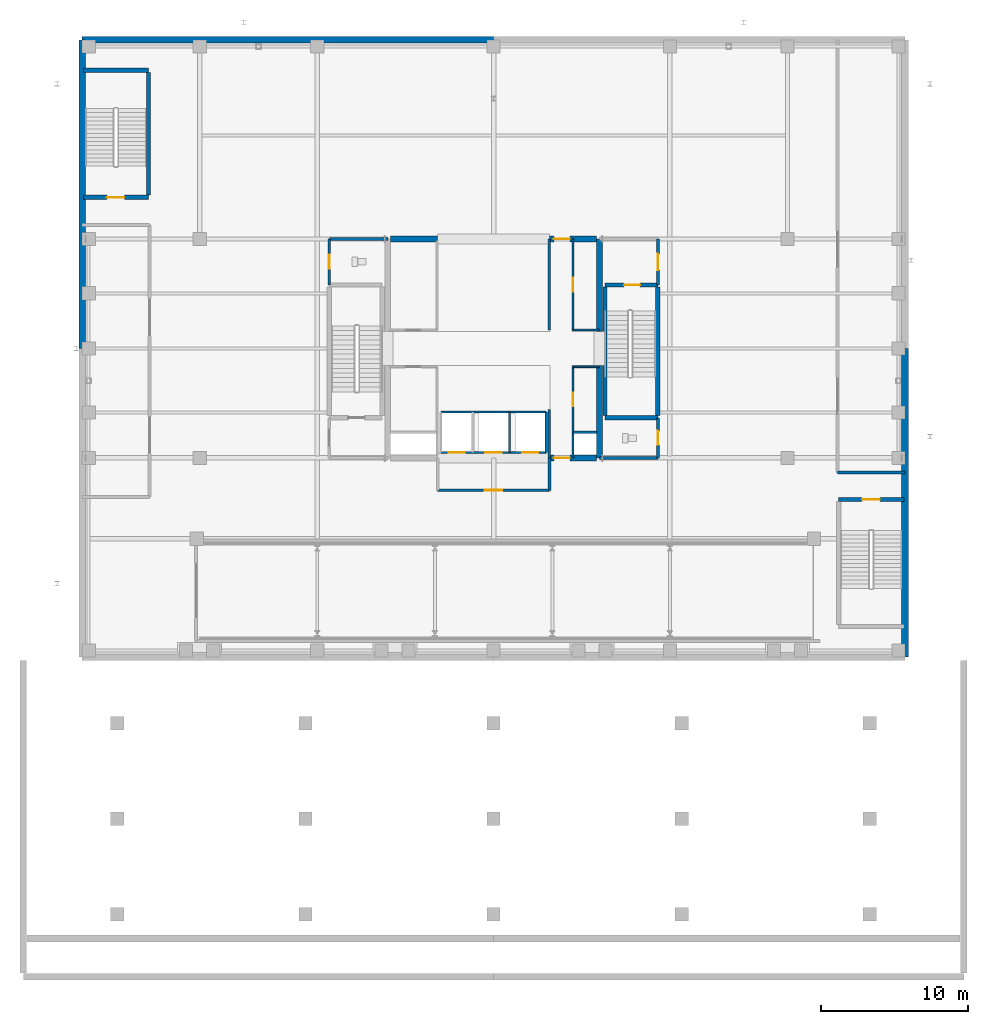
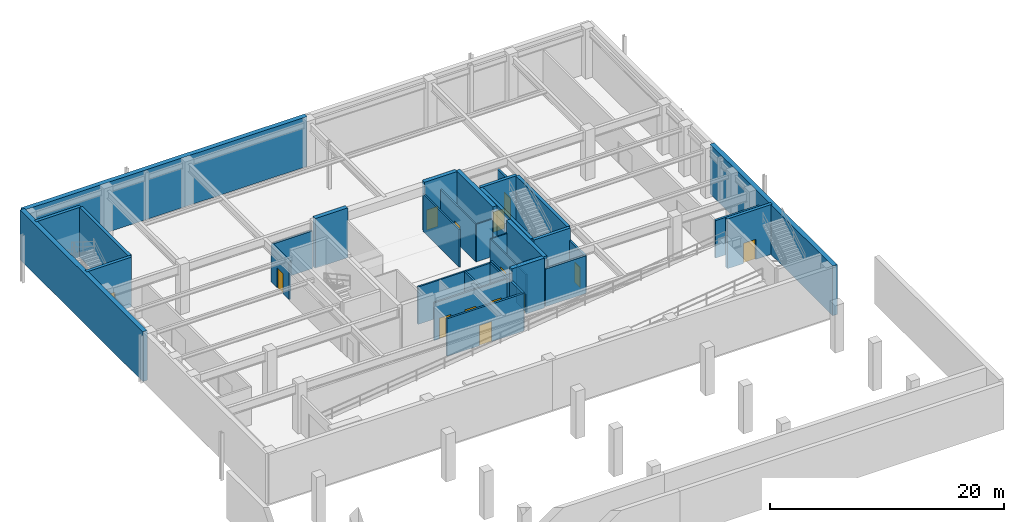
# One storey, part 12 of 16: 36 walls, 14 doors, 14 openings.
"""IFC4 building model written with IfcOpenShell, lengths in metres."""

from ifc_helpers import new_model, si_unit, direction, frame, frame_2d, origin, place, context, subcontext, project, spatial, rectangle, extrude, material, layer, layer_set, type_object, element, fill, save


model = new_model("IFC4")

# Units and contexts
model_context = context("Model", 3, precision=1e-05, world=origin(), true_north=direction((0.0, 1.0)))
body_context = subcontext(model_context, "Body", "Model", "MODEL_VIEW")
ifc_project = project(units=[si_unit("LENGTHUNIT", "METRE"), si_unit("AREAUNIT", "SQUARE_METRE"), si_unit("VOLUMEUNIT", "CUBIC_METRE"), si_unit("PLANEANGLEUNIT", "RADIAN"), si_unit("MASSUNIT", "GRAM", prefix="KILO")], contexts=[model_context])

# Site, building, storey
site_placement = place(None, origin())
site = spatial("IfcSite", under=ifc_project, at=site_placement, CompositionType="ELEMENT")
building_placement = place(site_placement, origin())
building = spatial("IfcBuilding", under=site, at=building_placement, Name="Veldorina Hangang Commons", CompositionType="ELEMENT")
storey_placement = place(building_placement, frame((0.0, 0.0, -5.199951171875)))
storey = spatial("IfcBuildingStorey", under=building, at=storey_placement, Name="B01", CompositionType="ELEMENT", Elevation=-5.199951171875)

# Walls
ifc_material_1 = material(Name="Concrete C70/85", Category="concrete")
ifc_layer_1 = layer(ifc_material_1, 0.39990234375)
ifc_layer_set_1 = layer_set([ifc_layer_1], Name="Concrete C70/85")
wall_type_1 = type_object("IfcWallType", Name="CW-RC400-C70", PredefinedType="SHEAR", material=ifc_layer_set_1)
for number, where, z_axis, x_axis, name in (
    (1, (39.199951171875, 16.550048828125, 0.0), (0.0, 0.0, 1.0), (0.0, 1.0, 0.0), "B01 E south core shear wall"),
    (2, (39.199951171875, 25.14990234375, 0.0), (0.0, 0.0, 1.0), (0.0, 1.0, 0.0), "B01 E north core shear wall"),
):
    element("IfcWall", number, at=place(storey_placement, frame(where, z_axis=z_axis, x_axis=x_axis)), inside=storey, type_object=wall_type_1, Name=name, PredefinedType="SHEAR", context=body_context, shape_type="SweptSolid", body=[
        extrude(rectangle(XDim=6.300048828125, YDim=0.39990234375, at=frame_2d((3.14990234375, 0.0))), origin(), (0.0, 0.0, 1.0), 5.199951171875),
    ])

# Wall, opening, door
wall_1_placement = place(storey_placement, frame((35.800048828125, 16.550048828125, 0.0), z_axis=(0.0, 0.0, 1.0), x_axis=(1.0, 0.0, 0.0)))
wall_1 = element("IfcWall", 3, at=wall_1_placement, inside=storey, type_object=wall_type_1, Name="B01 south-east core shear wall", PredefinedType="SHEAR", context=body_context, shape_type="SweptSolid", body=[
    extrude(rectangle(XDim=3.199951171875, YDim=0.39990234375, at=frame_2d((1.60009765625, 0.0))), origin(), (0.0, 0.0, 1.0), 5.199951171875),
])
opening_1_placement = place(wall_1_placement, frame((0.300048828125, 0.0, 0.0)))
opening_1 = element("IfcOpeningElement", 4, at=opening_1_placement, cuts=wall_1, Name="Opening D-08", PredefinedType="OPENING", context=body_context, shape_type="SweptSolid", body=[
    extrude(rectangle(XDim=1.10009765625, YDim=2.10009765625, at=frame_2d((0.550048828125, 1.050048828125))), frame((0.0, 0.2099609375, 0.0), z_axis=(0.0, -1.0, 0.0), x_axis=(1.0, 0.0, 0.0)), (0.0, 0.0, 1.0), 0.419921875),
])
ifc_material_2 = material(Name="Steel Fire-Rated Smoke Seal", Category="steel")
door_type_1 = type_object("IfcDoorType", Name="DR-FIRE-1100", OperationType="SINGLE_SWING_RIGHT", PredefinedType="DOOR", material=ifc_material_2)
door_1_placement = place(opening_1_placement, origin())
door_1 = element("IfcDoor", 5, at=door_1_placement, inside=storey, type_object=door_type_1, Name="B01 central lift lobby south corridor door", OperationType="SINGLE_SWING_RIGHT", OverallHeight=2.10009765625, OverallWidth=1.10009765625, PredefinedType="DOOR", context=body_context, shape_type="SweptSolid", body=[
    extrude(rectangle(XDim=1.10009765625, YDim=2.10009765625, at=frame_2d((0.550048828125, 1.050048828125))), frame((0.0, 0.02490234375, 0.0), z_axis=(0.0, -1.0, 0.0), x_axis=(1.0, 0.0, 0.0)), (0.0, 0.0, 1.0), 0.050048828125),
])
fill(opening_1, door_1)

# Wall
wall_2_placement = place(storey_placement, frame((25.0, 31.449951171875, 0.0), z_axis=(0.0, 0.0, 1.0), x_axis=(1.0, 0.0, 0.0)))
element("IfcWall", 6, at=wall_2_placement, inside=storey, type_object=wall_type_1, Name="B01 north-west core shear wall", PredefinedType="SHEAR", context=body_context, shape_type="SweptSolid", body=[
    extrude(rectangle(XDim=3.199951171875, YDim=0.39990234375, at=frame_2d((1.60009765625, 0.0))), origin(), (0.0, 0.0, 1.0), 5.199951171875),
])

# Wall, opening, door
wall_3_placement = place(storey_placement, frame((35.800048828125, 31.449951171875, 0.0), z_axis=(0.0, 0.0, 1.0), x_axis=(1.0, 0.0, 0.0)))
wall_3 = element("IfcWall", 7, at=wall_3_placement, inside=storey, type_object=wall_type_1, Name="B01 north-east core shear wall", PredefinedType="SHEAR", context=body_context, shape_type="SweptSolid", body=[
    extrude(rectangle(XDim=3.199951171875, YDim=0.39990234375, at=frame_2d((1.60009765625, 0.0))), origin(), (0.0, 0.0, 1.0), 5.199951171875),
])
opening_2_placement = place(wall_3_placement, frame((0.300048828125, 0.0, 0.0)))
opening_2 = element("IfcOpeningElement", 8, at=opening_2_placement, cuts=wall_3, Name="Opening D-08", PredefinedType="OPENING", context=body_context, shape_type="SweptSolid", body=[
    extrude(rectangle(XDim=1.10009765625, YDim=2.10009765625, at=frame_2d((0.550048828125, 1.050048828125))), frame((0.0, 0.2099609375, 0.0), z_axis=(0.0, -1.0, 0.0), x_axis=(1.0, 0.0, 0.0)), (0.0, 0.0, 1.0), 0.419921875),
])
door_2_placement = place(opening_2_placement, origin())
door_2 = element("IfcDoor", 9, at=door_2_placement, inside=storey, type_object=door_type_1, Name="B01 central lift lobby north corridor door", OperationType="SINGLE_SWING_LEFT", OverallHeight=2.10009765625, OverallWidth=1.10009765625, PredefinedType="DOOR", context=body_context, shape_type="SweptSolid", body=[
    extrude(rectangle(XDim=1.10009765625, YDim=2.10009765625, at=frame_2d((0.550048828125, 1.050048828125))), frame((0.0, 0.02490234375, 0.0), z_axis=(0.0, -1.0, 0.0), x_axis=(1.0, 0.0, 0.0)), (0.0, 0.0, 1.0), 0.050048828125),
])
fill(opening_2, door_2)

# Walls
ifc_material_3 = material(Name="Concrete C45/55", Category="concrete")
ifc_layer_2 = layer(ifc_material_3, 0.449951171875)
ifc_layer_set_2 = layer_set([ifc_layer_2], Name="Concrete C45/55")
wall_type_2 = type_object("IfcWallType", Name="RW-BASE-450", PredefinedType="USERDEFINED", material=ifc_layer_set_2)
wall_4_placement = place(storey_placement, frame((60.0, 3.0, 0.0), z_axis=(0.0, 0.0, 1.0), x_axis=(0.0, 1.0, 0.0)))
element("IfcWall", 10, at=wall_4_placement, inside=storey, type_object=wall_type_2, Name="B01 perimeter retaining wall E1", ObjectType="RETAININGWALL", PredefinedType="USERDEFINED", context=body_context, shape_type="SweptSolid", body=[
    extrude(rectangle(XDim=21.0, YDim=0.449951171875, at=frame_2d((10.5, 0.0))), origin(), (0.0, 0.0, 1.0), 5.199951171875),
])
wall_5_placement = place(storey_placement, frame((32.0, 45.0, 0.0), z_axis=(0.0, 0.0, 1.0), x_axis=(-1.0, 0.0, 0.0)))
element("IfcWall", 11, at=wall_5_placement, inside=storey, type_object=wall_type_2, Name="B01 perimeter retaining wall N2", ObjectType="RETAININGWALL", PredefinedType="USERDEFINED", context=body_context, shape_type="SweptSolid", body=[
    extrude(rectangle(XDim=28.0, YDim=0.449951171875, at=frame_2d((14.0, 0.0))), origin(), (0.0, 0.0, 1.0), 5.199951171875),
])
wall_6_placement = place(storey_placement, frame((4.0, 45.0, 0.0), z_axis=(0.0, 0.0, 1.0), x_axis=(0.0, -1.0, 0.0)))
element("IfcWall", 12, at=wall_6_placement, inside=storey, type_object=wall_type_2, Name="B01 perimeter retaining wall W1", ObjectType="RETAININGWALL", PredefinedType="USERDEFINED", context=body_context, shape_type="SweptSolid", body=[
    extrude(rectangle(XDim=21.0, YDim=0.449951171875, at=frame_2d((10.5, 0.0))), origin(), (0.0, 0.0, 1.0), 5.199951171875),
])
ifc_material_4 = material(Name="Concrete C50/60", Category="concrete")
ifc_layer_3 = layer(ifc_material_4, 0.300048828125)
ifc_layer_set_3 = layer_set([ifc_layer_3], Name="Concrete C50/60")
wall_type_3 = type_object("IfcWallType", Name="SW-STAIR-300", PredefinedType="SHEAR", material=ifc_layer_set_3)
for number, where, z_axis, x_axis, name in (
    (13, (43.179931640625, 19.429931640625, 0.0), (0.0, 0.0, 1.0), (0.0, 1.0, 0.0), "B01 ST2 outer stair shear wall"),
    (14, (39.580078125, 19.429931640625, 0.0), (0.0, 0.0, 1.0), (0.0, 1.0, 0.0), "B01 ST2 inner stair shear wall"),
):
    element("IfcWall", number, at=place(storey_placement, frame(where, z_axis=z_axis, x_axis=x_axis)), inside=storey, type_object=wall_type_3, Name=name, PredefinedType="SHEAR", context=body_context, shape_type="SweptSolid", body=[
        extrude(rectangle(XDim=8.739990234375, YDim=0.300048828125, at=frame_2d((4.3701171875, 0.0))), origin(), (0.0, 0.0, 1.0), 5.199951171875),
    ])
wall_7_placement = place(storey_placement, frame((39.580078125, 19.280029296875, 0.0), z_axis=(0.0, 0.0, 1.0), x_axis=(1.0, 0.0, 0.0)))
element("IfcWall", 15, at=wall_7_placement, inside=storey, type_object=wall_type_3, Name="B01 ST2 south stair shear wall", PredefinedType="SHEAR", context=body_context, shape_type="SweptSolid", body=[
    extrude(rectangle(XDim=3.599853515625, YDim=0.300048828125, at=frame_2d((1.7998046875, 0.0))), origin(), (0.0, 0.0, 1.0), 5.199951171875),
])

# Wall, opening, door
wall_8_placement = place(storey_placement, frame((39.580078125, 28.320068359375, 0.0), z_axis=(0.0, 0.0, 1.0), x_axis=(1.0, 0.0, 0.0)))
wall_8 = element("IfcWall", 16, at=wall_8_placement, inside=storey, type_object=wall_type_3, Name="B01 ST2 north stair shear wall", PredefinedType="SHEAR", context=body_context, shape_type="SweptSolid", body=[
    extrude(rectangle(XDim=3.599853515625, YDim=0.300048828125, at=frame_2d((1.7998046875, 0.0))), origin(), (0.0, 0.0, 1.0), 5.199951171875),
])
opening_3_placement = place(wall_8_placement, frame((1.300048828125, 0.0, 0.0)))
opening_3 = element("IfcOpeningElement", 17, at=opening_3_placement, cuts=wall_8, Name="Opening D-08", PredefinedType="OPENING", context=body_context, shape_type="SweptSolid", body=[
    extrude(rectangle(XDim=1.10009765625, YDim=2.10009765625, at=frame_2d((0.550048828125, 1.050048828125))), frame((0.0, 0.16015625, 0.0), z_axis=(0.0, -1.0, 0.0), x_axis=(1.0, 0.0, 0.0)), (0.0, 0.0, 1.0), 0.320068359375),
])
door_3_placement = place(opening_3_placement, origin())
door_3 = element("IfcDoor", 18, at=door_3_placement, inside=storey, type_object=door_type_1, Name="B01 Special Escape Stair ST-2 door", OperationType="SINGLE_SWING_RIGHT", OverallHeight=2.10009765625, OverallWidth=1.10009765625, PredefinedType="DOOR", context=body_context, shape_type="SweptSolid", body=[
    extrude(rectangle(XDim=1.10009765625, YDim=2.10009765625, at=frame_2d((0.550048828125, 1.050048828125))), frame((0.0, 0.02490234375, 0.0), z_axis=(0.0, -1.0, 0.0), x_axis=(1.0, 0.0, 0.0)), (0.0, 0.0, 1.0), 0.050048828125),
])
fill(opening_3, door_3)

# Wall
wall_9_placement = place(storey_placement, frame((8.52001953125, 34.429931640625, 0.0), z_axis=(0.0, 0.0, 1.0), x_axis=(0.0, 1.0, 0.0)))
element("IfcWall", 19, at=wall_9_placement, inside=storey, type_object=wall_type_3, Name="B01 STP1 E stair shear wall", PredefinedType="SHEAR", context=body_context, shape_type="SweptSolid", body=[
    extrude(rectangle(XDim=8.340087890625, YDim=0.300048828125, at=frame_2d((4.169921875, 0.0))), origin(), (0.0, 0.0, 1.0), 5.199951171875),
])

# Wall, opening, door
wall_10_placement = place(storey_placement, frame((4.080078125, 34.280029296875, 0.0), z_axis=(0.0, 0.0, 1.0), x_axis=(1.0, 0.0, 0.0)))
wall_10 = element("IfcWall", 20, at=wall_10_placement, inside=storey, type_object=wall_type_3, Name="B01 STP1 S stair shear wall", PredefinedType="SHEAR", context=body_context, shape_type="SweptSolid", body=[
    extrude(rectangle(XDim=4.43994140625, YDim=0.300048828125, at=frame_2d((2.219970703125, 0.0))), origin(), (0.0, 0.0, 1.0), 5.199951171875),
])
opening_4_placement = place(wall_10_placement, frame((1.60009765625, 0.0, 0.0)))
opening_4 = element("IfcOpeningElement", 21, at=opening_4_placement, cuts=wall_10, Name="Opening D-09", PredefinedType="OPENING", context=body_context, shape_type="SweptSolid", body=[
    extrude(rectangle(XDim=1.199951171875, YDim=2.10009765625, at=frame_2d((0.60009765625, 1.050048828125))), frame((0.0, 0.16015625, 0.0), z_axis=(0.0, -1.0, 0.0), x_axis=(1.0, 0.0, 0.0)), (0.0, 0.0, 1.0), 0.320068359375),
])
ifc_material_5 = material(Name="Steel Fire-Rated Corridor Door", Category="steel")
door_type_2 = type_object("IfcDoorType", Name="DR-FIRE-1200", OperationType="SINGLE_SWING_LEFT", PredefinedType="DOOR", material=ifc_material_5)
door_4_placement = place(opening_4_placement, origin())
door_4 = element("IfcDoor", 22, at=door_4_placement, inside=storey, type_object=door_type_2, Name="B01 Podium Stair ST-P1 door", OperationType="SINGLE_SWING_LEFT", OverallHeight=2.10009765625, OverallWidth=1.199951171875, PredefinedType="DOOR", context=body_context, shape_type="SweptSolid", body=[
    extrude(rectangle(XDim=1.199951171875, YDim=2.10009765625, at=frame_2d((0.60009765625, 1.050048828125))), frame((0.0, 0.02490234375, 0.0), z_axis=(0.0, -1.0, 0.0), x_axis=(1.0, 0.0, 0.0)), (0.0, 0.0, 1.0), 0.050048828125),
])
fill(opening_4, door_4)

# Wall
wall_11_placement = place(storey_placement, frame((4.080078125, 42.919921875, 0.0), z_axis=(0.0, 0.0, 1.0), x_axis=(1.0, 0.0, 0.0)))
element("IfcWall", 23, at=wall_11_placement, inside=storey, type_object=wall_type_3, Name="B01 STP1 N stair shear wall", PredefinedType="SHEAR", context=body_context, shape_type="SweptSolid", body=[
    extrude(rectangle(XDim=4.43994140625, YDim=0.300048828125, at=frame_2d((2.219970703125, 0.0))), origin(), (0.0, 0.0, 1.0), 5.199951171875),
])

# Wall, opening, door
wall_12_placement = place(storey_placement, frame((55.47998046875, 13.719970703125, 0.0), z_axis=(0.0, 0.0, 1.0), x_axis=(1.0, 0.0, 0.0)))
wall_12 = element("IfcWall", 24, at=wall_12_placement, inside=storey, type_object=wall_type_3, Name="B01 STP2 N stair shear wall", PredefinedType="SHEAR", context=body_context, shape_type="SweptSolid", body=[
    extrude(rectangle(XDim=4.43994140625, YDim=0.300048828125, at=frame_2d((2.219970703125, 0.0))), origin(), (0.0, 0.0, 1.0), 5.199951171875),
])
opening_5_placement = place(wall_12_placement, frame((1.60009765625, 0.0, 0.0)))
opening_5 = element("IfcOpeningElement", 25, at=opening_5_placement, cuts=wall_12, Name="Opening D-09", PredefinedType="OPENING", context=body_context, shape_type="SweptSolid", body=[
    extrude(rectangle(XDim=1.199951171875, YDim=2.10009765625, at=frame_2d((0.60009765625, 1.050048828125))), frame((0.0, 0.16015625, 0.0), z_axis=(0.0, -1.0, 0.0), x_axis=(1.0, 0.0, 0.0)), (0.0, 0.0, 1.0), 0.320068359375),
])
door_5_placement = place(opening_5_placement, origin())
door_5 = element("IfcDoor", 26, at=door_5_placement, inside=storey, type_object=door_type_2, Name="B01 Podium Stair ST-P2 door", OperationType="SINGLE_SWING_RIGHT", OverallHeight=2.10009765625, OverallWidth=1.199951171875, PredefinedType="DOOR", context=body_context, shape_type="SweptSolid", body=[
    extrude(rectangle(XDim=1.199951171875, YDim=2.10009765625, at=frame_2d((0.60009765625, 1.050048828125))), frame((0.0, 0.02490234375, 0.0), z_axis=(0.0, -1.0, 0.0), x_axis=(1.0, 0.0, 0.0)), (0.0, 0.0, 1.0), 0.050048828125),
])
fill(opening_5, door_5)

# Walls
ifc_material_6 = material(Name="Gypsum Fire-Rated Twin Stud Wall", Category="gypsum")
ifc_layer_4 = layer(ifc_material_6, 0.159912109375)
ifc_layer_set_4 = layer_set([ifc_layer_4], Name="Gypsum Fire-Rated Twin Stud Wall")
wall_type_4 = type_object("IfcWallType", Name="WL-FIRE-160", PredefinedType="SOLIDWALL", material=ifc_layer_set_4)
wall_13_placement = place(storey_placement, frame((35.800048828125, 16.550048828125, 0.0), z_axis=(0.0, 0.0, 1.0), x_axis=(0.0, 1.0, 0.0)))
element("IfcWall", 27, at=wall_13_placement, inside=storey, type_object=wall_type_4, Name="B01 Lift passage SW wall 009", PredefinedType="SOLIDWALL", context=body_context, shape_type="SweptSolid", body=[
    extrude(rectangle(XDim=3.300048828125, YDim=0.159912109375, at=frame_2d((1.64990234375, 0.0))), origin(), (0.0, 0.0, 1.0), 3.919921875),
])
wall_14_placement = place(storey_placement, frame((37.39990234375, 16.550048828125, 0.0), z_axis=(0.0, 0.0, 1.0), x_axis=(0.0, 1.0, 0.0)))
element("IfcWall", 28, at=wall_14_placement, inside=storey, type_object=wall_type_4, Name="B01 Lift passage SE stub 010", PredefinedType="SOLIDWALL", context=body_context, shape_type="SweptSolid", body=[
    extrude(rectangle(XDim=1.75, YDim=0.159912109375, at=frame_2d((0.875, 0.0))), origin(), (0.0, 0.0, 1.0), 3.919921875),
])
wall_15_placement = place(storey_placement, frame((35.800048828125, 25.25, 0.0), z_axis=(0.0, 0.0, 1.0), x_axis=(0.0, 1.0, 0.0)))
element("IfcWall", 29, at=wall_15_placement, inside=storey, type_object=wall_type_4, Name="B01 Lift passage NW wall 011", PredefinedType="SOLIDWALL", context=body_context, shape_type="SweptSolid", body=[
    extrude(rectangle(XDim=6.199951171875, YDim=0.159912109375, at=frame_2d((3.10009765625, 0.0))), origin(), (0.0, 0.0, 1.0), 3.919921875),
])

# Wall, openings, doors
wall_16_placement = place(storey_placement, frame((28.419921875, 16.919921875, 0.0), z_axis=(0.0, 0.0, 1.0), x_axis=(1.0, 0.0, 0.0)))
wall_16 = element("IfcWall", 30, at=wall_16_placement, inside=storey, type_object=wall_type_4, Name="B01 Emergency front shaft wall 015", PredefinedType="SOLIDWALL", context=body_context, shape_type="SweptSolid", body=[
    extrude(rectangle(XDim=7.16015625, YDim=0.159912109375, at=frame_2d((3.580078125, 0.0))), origin(), (0.0, 0.0, 1.0), 3.919921875),
])
opening_6_placement = place(wall_16_placement, frame((0.530029296875, 0.0, 0.0)))
opening_6 = element("IfcOpeningElement", 31, at=opening_6_placement, cuts=wall_16, Name="Opening LD-03", PredefinedType="OPENING", context=body_context, shape_type="SweptSolid", body=[
    extrude(rectangle(XDim=1.10009765625, YDim=2.14990234375, at=frame_2d((0.550048828125, 1.074951171875))), frame((0.0, 0.08984375, 0.0), z_axis=(0.0, -1.0, 0.0), x_axis=(1.0, 0.0, 0.0)), (0.0, 0.0, 1.0), 0.179931640625),
])
opening_7_placement = place(wall_16_placement, frame((3.030029296875, 0.0, 0.0)))
opening_7 = element("IfcOpeningElement", 32, at=opening_7_placement, cuts=wall_16, Name="Opening LD-03", PredefinedType="OPENING", context=body_context, shape_type="SweptSolid", body=[
    extrude(rectangle(XDim=1.10009765625, YDim=2.14990234375, at=frame_2d((0.550048828125, 1.074951171875))), frame((0.0, 0.08984375, 0.0), z_axis=(0.0, -1.0, 0.0), x_axis=(1.0, 0.0, 0.0)), (0.0, 0.0, 1.0), 0.179931640625),
])
opening_8_placement = place(wall_16_placement, frame((5.530029296875, 0.0, 0.0)))
opening_8 = element("IfcOpeningElement", 33, at=opening_8_placement, cuts=wall_16, Name="Opening LD-03", PredefinedType="OPENING", context=body_context, shape_type="SweptSolid", body=[
    extrude(rectangle(XDim=1.10009765625, YDim=2.14990234375, at=frame_2d((0.550048828125, 1.074951171875))), frame((0.0, 0.08984375, 0.0), z_axis=(0.0, -1.0, 0.0), x_axis=(1.0, 0.0, 0.0)), (0.0, 0.0, 1.0), 0.179931640625),
])
ifc_material_7 = material(Name="Stainless Steel Firefighting Lift Door", Category="steel")
door_type_3 = type_object("IfcDoorType", Name="DR-LIFT-FF1100", OperationType="SLIDING_TO_RIGHT", PredefinedType="DOOR", material=ifc_material_7)
door_6_placement = place(opening_6_placement, origin())
door_6 = element("IfcDoor", 34, at=door_6_placement, inside=storey, type_object=door_type_3, Name="B01 Emergency lift FFL-1 landing door 006", OperationType="SLIDING_TO_RIGHT", OverallHeight=2.14990234375, OverallWidth=1.10009765625, PredefinedType="DOOR", context=body_context, shape_type="SweptSolid", body=[
    extrude(rectangle(XDim=1.10009765625, YDim=2.14990234375, at=frame_2d((0.550048828125, 1.074951171875))), frame((0.0, 0.02490234375, 0.0), z_axis=(0.0, -1.0, 0.0), x_axis=(1.0, 0.0, 0.0)), (0.0, 0.0, 1.0), 0.050048828125),
])
fill(opening_6, door_6)
door_7_placement = place(opening_7_placement, origin())
door_7 = element("IfcDoor", 35, at=door_7_placement, inside=storey, type_object=door_type_3, Name="B01 Emergency lift FFL-2 landing door 007", OperationType="SLIDING_TO_RIGHT", OverallHeight=2.14990234375, OverallWidth=1.10009765625, PredefinedType="DOOR", context=body_context, shape_type="SweptSolid", body=[
    extrude(rectangle(XDim=1.10009765625, YDim=2.14990234375, at=frame_2d((0.550048828125, 1.074951171875))), frame((0.0, 0.02490234375, 0.0), z_axis=(0.0, -1.0, 0.0), x_axis=(1.0, 0.0, 0.0)), (0.0, 0.0, 1.0), 0.050048828125),
])
fill(opening_7, door_7)
door_8_placement = place(opening_8_placement, origin())
door_8 = element("IfcDoor", 36, at=door_8_placement, inside=storey, type_object=door_type_3, Name="B01 Emergency lift EVL-1 landing door 008", OperationType="SLIDING_TO_RIGHT", OverallHeight=2.14990234375, OverallWidth=1.10009765625, PredefinedType="DOOR", context=body_context, shape_type="SweptSolid", body=[
    extrude(rectangle(XDim=1.10009765625, YDim=2.14990234375, at=frame_2d((0.550048828125, 1.074951171875))), frame((0.0, 0.02490234375, 0.0), z_axis=(0.0, -1.0, 0.0), x_axis=(1.0, 0.0, 0.0)), (0.0, 0.0, 1.0), 0.050048828125),
])
fill(opening_8, door_8)

# Walls
wall_17_placement = place(storey_placement, frame((28.419921875, 19.679931640625, 0.0), z_axis=(0.0, 0.0, 1.0), x_axis=(1.0, 0.0, 0.0)))
element("IfcWall", 37, at=wall_17_placement, inside=storey, type_object=wall_type_4, Name="B01 Emergency rear shaft wall 016", PredefinedType="SOLIDWALL", context=body_context, shape_type="SweptSolid", body=[
    extrude(rectangle(XDim=7.16015625, YDim=0.159912109375, at=frame_2d((3.580078125, 0.0))), origin(), (0.0, 0.0, 1.0), 3.919921875),
])
for number, where, z_axis, x_axis, name in (
    (38, (33.080078125, 16.919921875, 0.0), (0.0, 0.0, 1.0), (0.0, 1.0, 0.0), "B01 FFL-2 east shaft wall 019"),
    (39, (35.580078125, 16.919921875, 0.0), (0.0, 0.0, 1.0), (0.0, 1.0, 0.0), "B01 EVL-1 east shaft wall 020"),
):
    element("IfcWall", number, at=place(storey_placement, frame(where, z_axis=z_axis, x_axis=x_axis)), inside=storey, type_object=wall_type_4, Name=name, PredefinedType="SOLIDWALL", context=body_context, shape_type="SweptSolid", body=[
        extrude(rectangle(XDim=2.760009765625, YDim=0.159912109375, at=frame_2d((1.3798828125, 0.0))), origin(), (0.0, 0.0, 1.0), 3.919921875),
    ])
wall_18_placement = place(storey_placement, frame((37.39990234375, 18.300048828125, 0.0), z_axis=(0.0, 0.0, 1.0), x_axis=(1.0, 0.0, 0.0)))
element("IfcWall", 40, at=wall_18_placement, inside=storey, type_object=wall_type_4, Name="B01 Plumbing riser wall 023", PredefinedType="SOLIDWALL", context=body_context, shape_type="SweptSolid", body=[
    extrude(rectangle(XDim=1.650146484375, YDim=0.159912109375, at=frame_2d((0.8251953125, 0.0))), origin(), (0.0, 0.0, 1.0), 3.919921875),
])

# Wall, opening, door
ifc_material_8 = material(Name="Concrete Blockwork Fire Wall C30/37", Category="masonry")
ifc_layer_5 = layer(ifc_material_8, 0.199951171875)
ifc_layer_set_5 = layer_set([ifc_layer_5], Name="Concrete Blockwork Fire Wall C30/37")
wall_type_5 = type_object("IfcWallType", Name="WL-FIRE-200", PredefinedType="SOLIDWALL", material=ifc_layer_set_5)
wall_19_placement = place(storey_placement, frame((43.179931640625, 28.320068359375, 0.0), z_axis=(0.0, 0.0, 1.0), x_axis=(0.0, 1.0, 0.0)))
wall_19 = element("IfcWall", 41, at=wall_19_placement, inside=storey, type_object=wall_type_5, Name="B01 East vestibule outer wall 003", PredefinedType="SOLIDWALL", context=body_context, shape_type="SweptSolid", body=[
    extrude(rectangle(XDim=3.1298828125, YDim=0.199951171875, at=frame_2d((1.56494140625, 0.0))), origin(), (0.0, 0.0, 1.0), 3.919921875),
])
opening_9_placement = place(wall_19_placement, frame((1.014892578125, 0.0, 0.0)))
opening_9 = element("IfcOpeningElement", 42, at=opening_9_placement, cuts=wall_19, Name="Opening D-08", PredefinedType="OPENING", context=body_context, shape_type="SweptSolid", body=[
    extrude(rectangle(XDim=1.10009765625, YDim=2.10009765625, at=frame_2d((0.550048828125, 1.050048828125))), frame((0.0, 0.10986328125, 0.0), z_axis=(0.0, -1.0, 0.0), x_axis=(1.0, 0.0, 0.0)), (0.0, 0.0, 1.0), 0.219970703125),
])
door_9_placement = place(opening_9_placement, origin())
door_9 = element("IfcDoor", 43, at=door_9_placement, inside=storey, type_object=door_type_1, Name="B01 East vestibule east door 002", OperationType="SINGLE_SWING_RIGHT", OverallHeight=2.10009765625, OverallWidth=1.10009765625, PredefinedType="DOOR", context=body_context, shape_type="SweptSolid", body=[
    extrude(rectangle(XDim=1.10009765625, YDim=2.10009765625, at=frame_2d((0.550048828125, 1.050048828125))), frame((0.0, 0.02490234375, 0.0), z_axis=(0.0, -1.0, 0.0), x_axis=(1.0, 0.0, 0.0)), (0.0, 0.0, 1.0), 0.050048828125),
])
fill(opening_9, door_9)

wall_20_placement = place(storey_placement, frame((20.820068359375, 28.320068359375, 0.0), z_axis=(0.0, 0.0, 1.0), x_axis=(0.0, 1.0, 0.0)))
wall_20 = element("IfcWall", 44, at=wall_20_placement, inside=storey, type_object=wall_type_5, Name="B01 NW core room outer wall 005", PredefinedType="SOLIDWALL", context=body_context, shape_type="SweptSolid", body=[
    extrude(rectangle(XDim=3.1298828125, YDim=0.199951171875, at=frame_2d((1.56494140625, 0.0))), origin(), (0.0, 0.0, 1.0), 3.919921875),
])
opening_10_placement = place(wall_20_placement, frame((1.090087890625, 0.0, 0.0)))
opening_10 = element("IfcOpeningElement", 45, at=opening_10_placement, cuts=wall_20, Name="Opening D-04", PredefinedType="OPENING", context=body_context, shape_type="SweptSolid", body=[
    extrude(rectangle(XDim=0.949951171875, YDim=2.10009765625, at=frame_2d((0.47509765625, 1.050048828125))), frame((0.0, 0.10986328125, 0.0), z_axis=(0.0, -1.0, 0.0), x_axis=(1.0, 0.0, 0.0)), (0.0, 0.0, 1.0), 0.219970703125),
])
ifc_material_9 = material(Name="Timber Accessible Flush Leaf", Category="wood")
door_type_4 = type_object("IfcDoorType", Name="DR-ACC-950", OperationType="SINGLE_SWING_LEFT", PredefinedType="DOOR", material=ifc_material_9)
door_10_placement = place(opening_10_placement, origin())
door_10 = element("IfcDoor", 46, at=door_10_placement, inside=storey, type_object=door_type_4, Name="B01 NW core WC door 003", OperationType="SINGLE_SWING_LEFT", OverallHeight=2.10009765625, OverallWidth=0.949951171875, PredefinedType="DOOR", context=body_context, shape_type="SweptSolid", body=[
    extrude(rectangle(XDim=0.949951171875, YDim=2.10009765625, at=frame_2d((0.47509765625, 1.050048828125))), frame((0.0, 0.02490234375, 0.0), z_axis=(0.0, -1.0, 0.0), x_axis=(1.0, 0.0, 0.0)), (0.0, 0.0, 1.0), 0.050048828125),
])
fill(opening_10, door_10)

# Wall
wall_21_placement = place(storey_placement, frame((20.820068359375, 31.449951171875, 0.0), z_axis=(0.0, 0.0, 1.0), x_axis=(1.0, 0.0, 0.0)))
element("IfcWall", 47, at=wall_21_placement, inside=storey, type_object=wall_type_5, Name="B01 NW core room north wall 006", PredefinedType="SOLIDWALL", context=body_context, shape_type="SweptSolid", body=[
    extrude(rectangle(XDim=3.97998046875, YDim=0.199951171875, at=frame_2d((1.989990234375, 0.0))), origin(), (0.0, 0.0, 1.0), 3.919921875),
])

# Wall, opening, door
wall_22_placement = place(storey_placement, frame((43.179931640625, 16.550048828125, 0.0), z_axis=(0.0, 0.0, 1.0), x_axis=(0.0, 1.0, 0.0)))
wall_22 = element("IfcWall", 48, at=wall_22_placement, inside=storey, type_object=wall_type_5, Name="B01 SE core room outer wall 007", PredefinedType="SOLIDWALL", context=body_context, shape_type="SweptSolid", body=[
    extrude(rectangle(XDim=2.72998046875, YDim=0.199951171875, at=frame_2d((1.364990234375, 0.0))), origin(), (0.0, 0.0, 1.0), 3.919921875),
])
opening_11_placement = place(wall_22_placement, frame((0.889892578125, 0.0, 0.0)))
opening_11 = element("IfcOpeningElement", 49, at=opening_11_placement, cuts=wall_22, Name="Opening D-02", PredefinedType="OPENING", context=body_context, shape_type="SweptSolid", body=[
    extrude(rectangle(XDim=0.949951171875, YDim=2.10009765625, at=frame_2d((0.47509765625, 1.050048828125))), frame((0.0, 0.10986328125, 0.0), z_axis=(0.0, -1.0, 0.0), x_axis=(1.0, 0.0, 0.0)), (0.0, 0.0, 1.0), 0.219970703125),
])
ifc_material_10 = material(Name="Timber Solid Core Acoustic", Category="wood")
door_type_5 = type_object("IfcDoorType", Name="DR-INT-950", OperationType="SINGLE_SWING_LEFT", PredefinedType="DOOR", material=ifc_material_10)
door_11_placement = place(opening_11_placement, origin())
door_11 = element("IfcDoor", 50, at=door_11_placement, inside=storey, type_object=door_type_5, Name="B01 SE core WC door 004", OperationType="SINGLE_SWING_RIGHT", OverallHeight=2.10009765625, OverallWidth=0.949951171875, PredefinedType="DOOR", context=body_context, shape_type="SweptSolid", body=[
    extrude(rectangle(XDim=0.949951171875, YDim=2.10009765625, at=frame_2d((0.47509765625, 1.050048828125))), frame((0.0, 0.02490234375, 0.0), z_axis=(0.0, -1.0, 0.0), x_axis=(1.0, 0.0, 0.0)), (0.0, 0.0, 1.0), 0.050048828125),
])
fill(opening_11, door_11)

# Walls
wall_23_placement = place(storey_placement, frame((39.199951171875, 16.550048828125, 0.0), z_axis=(0.0, 0.0, 1.0), x_axis=(1.0, 0.0, 0.0)))
element("IfcWall", 51, at=wall_23_placement, inside=storey, type_object=wall_type_5, Name="B01 SE core room south wall 008", PredefinedType="SOLIDWALL", context=body_context, shape_type="SweptSolid", body=[
    extrude(rectangle(XDim=3.97998046875, YDim=0.199951171875, at=frame_2d((1.989990234375, 0.0))), origin(), (0.0, 0.0, 1.0), 3.919921875),
])
wall_24_placement = place(storey_placement, frame((35.800048828125, 14.35009765625, 0.0), z_axis=(0.0, 0.0, 1.0), x_axis=(0.0, 1.0, 0.0)))
element("IfcWall", 52, at=wall_24_placement, inside=storey, type_object=wall_type_5, Name="B01 FF lobby east wall 013", PredefinedType="SOLIDWALL", context=body_context, shape_type="SweptSolid", body=[
    extrude(rectangle(XDim=2.199951171875, YDim=0.199951171875, at=frame_2d((1.10009765625, 0.0))), origin(), (0.0, 0.0, 1.0), 3.919921875),
])

# Wall, opening, door
wall_25_placement = place(storey_placement, frame((28.199951171875, 14.35009765625, 0.0), z_axis=(0.0, 0.0, 1.0), x_axis=(1.0, 0.0, 0.0)))
wall_25 = element("IfcWall", 53, at=wall_25_placement, inside=storey, type_object=wall_type_5, Name="B01 FF lobby south wall 014", PredefinedType="SOLIDWALL", context=body_context, shape_type="SweptSolid", body=[
    extrude(rectangle(XDim=7.60009765625, YDim=0.199951171875, at=frame_2d((3.800048828125, 0.0))), origin(), (0.0, 0.0, 1.0), 3.919921875),
])
opening_12_placement = place(wall_25_placement, frame((3.199951171875, 0.0, 0.0)))
opening_12 = element("IfcOpeningElement", 54, at=opening_12_placement, cuts=wall_25, Name="Opening D-09", PredefinedType="OPENING", context=body_context, shape_type="SweptSolid", body=[
    extrude(rectangle(XDim=1.199951171875, YDim=2.10009765625, at=frame_2d((0.60009765625, 1.050048828125))), frame((0.0, 0.10986328125, 0.0), z_axis=(0.0, -1.0, 0.0), x_axis=(1.0, 0.0, 0.0)), (0.0, 0.0, 1.0), 0.219970703125),
])
door_12_placement = place(opening_12_placement, origin())
door_12 = element("IfcDoor", 55, at=door_12_placement, inside=storey, type_object=door_type_2, Name="B01 FF lobby south corridor door 005", OperationType="SINGLE_SWING_LEFT", OverallHeight=2.10009765625, OverallWidth=1.199951171875, PredefinedType="DOOR", context=body_context, shape_type="SweptSolid", body=[
    extrude(rectangle(XDim=1.199951171875, YDim=2.10009765625, at=frame_2d((0.60009765625, 1.050048828125))), frame((0.0, 0.02490234375, 0.0), z_axis=(0.0, -1.0, 0.0), x_axis=(1.0, 0.0, 0.0)), (0.0, 0.0, 1.0), 0.050048828125),
])
fill(opening_12, door_12)

# Wall
wall_26_placement = place(storey_placement, frame((55.39990234375, 15.550048828125, 0.0), z_axis=(0.0, 0.0, 1.0), x_axis=(1.0, 0.0, 0.0)))
element("IfcWall", 56, at=wall_26_placement, inside=storey, type_object=wall_type_5, Name="B01 Loading bay south wall 035", PredefinedType="SOLIDWALL", context=body_context, shape_type="SweptSolid", body=[
    extrude(rectangle(XDim=4.60009765625, YDim=0.199951171875, at=frame_2d((2.300048828125, 0.0))), origin(), (0.0, 0.0, 1.0), 3.919921875),
])

# Wall, opening, door
ifc_material_11 = material(Name="Gypsum Acoustic Stud Partition", Category="gypsum")
ifc_layer_6 = layer(ifc_material_11, 0.1201171875)
ifc_layer_set_6 = layer_set([ifc_layer_6], Name="Gypsum Acoustic Stud Partition")
wall_type_6 = type_object("IfcWallType", Name="WL-PART-120", PredefinedType="PARTITIONING", material=ifc_layer_set_6)
wall_27_placement = place(storey_placement, frame((37.39990234375, 25.25, 0.0), z_axis=(0.0, 0.0, 1.0), x_axis=(0.0, 1.0, 0.0)))
wall_27 = element("IfcWall", 57, at=wall_27_placement, inside=storey, type_object=wall_type_6, Name="B01 NE strip lobby wall 027", PredefinedType="PARTITIONING", context=body_context, shape_type="SweptSolid", body=[
    extrude(rectangle(XDim=6.199951171875, YDim=0.1201171875, at=frame_2d((3.10009765625, 0.0))), origin(), (0.0, 0.0, 1.0), 3.919921875),
])
opening_13_placement = place(wall_27_placement, frame((2.625, 0.0, 0.0)))
opening_13 = element("IfcOpeningElement", 58, at=opening_13_placement, cuts=wall_27, Name="Opening D-02", PredefinedType="OPENING", context=body_context, shape_type="SweptSolid", body=[
    extrude(rectangle(XDim=0.949951171875, YDim=2.10009765625, at=frame_2d((0.47509765625, 1.050048828125))), frame((0.0, 0.070068359375, 0.0), z_axis=(0.0, -1.0, 0.0), x_axis=(1.0, 0.0, 0.0)), (0.0, 0.0, 1.0), 0.14013671875),
])
door_13_placement = place(opening_13_placement, origin())
door_13 = element("IfcDoor", 59, at=door_13_placement, inside=storey, type_object=door_type_5, Name="B01 Comms room door 011", OperationType="SINGLE_SWING_LEFT", OverallHeight=2.10009765625, OverallWidth=0.949951171875, PredefinedType="DOOR", context=body_context, shape_type="SweptSolid", body=[
    extrude(rectangle(XDim=0.949951171875, YDim=2.10009765625, at=frame_2d((0.47509765625, 1.050048828125))), frame((0.0, 0.02490234375, 0.0), z_axis=(0.0, -1.0, 0.0), x_axis=(1.0, 0.0, 0.0)), (0.0, 0.0, 1.0), 0.050048828125),
])
fill(opening_13, door_13)

# Wall
wall_28_placement = place(storey_placement, frame((37.39990234375, 25.25, 0.0), z_axis=(0.0, 0.0, 1.0), x_axis=(1.0, 0.0, 0.0)))
element("IfcWall", 60, at=wall_28_placement, inside=storey, type_object=wall_type_6, Name="B01 NE strip south return wall 028", PredefinedType="PARTITIONING", context=body_context, shape_type="SweptSolid", body=[
    extrude(rectangle(XDim=1.800048828125, YDim=0.1201171875, at=frame_2d((0.89990234375, 0.0))), origin(), (0.0, 0.0, 1.0), 3.919921875),
])

# Wall, opening, door
wall_29_placement = place(storey_placement, frame((37.39990234375, 18.300048828125, 0.0), z_axis=(0.0, 0.0, 1.0), x_axis=(0.0, 1.0, 0.0)))
wall_29 = element("IfcWall", 61, at=wall_29_placement, inside=storey, type_object=wall_type_6, Name="B01 SE strip lobby wall 029", PredefinedType="PARTITIONING", context=body_context, shape_type="SweptSolid", body=[
    extrude(rectangle(XDim=4.449951171875, YDim=0.1201171875, at=frame_2d((2.22509765625, 0.0))), origin(), (0.0, 0.0, 1.0), 3.919921875),
])
opening_14_placement = place(wall_29_placement, frame((1.75, 0.0, 0.0)))
opening_14 = element("IfcOpeningElement", 62, at=opening_14_placement, cuts=wall_29, Name="Opening D-02", PredefinedType="OPENING", context=body_context, shape_type="SweptSolid", body=[
    extrude(rectangle(XDim=0.949951171875, YDim=2.10009765625, at=frame_2d((0.47509765625, 1.050048828125))), frame((0.0, 0.070068359375, 0.0), z_axis=(0.0, -1.0, 0.0), x_axis=(1.0, 0.0, 0.0)), (0.0, 0.0, 1.0), 0.14013671875),
])
door_14_placement = place(opening_14_placement, origin())
door_14 = element("IfcDoor", 63, at=door_14_placement, inside=storey, type_object=door_type_5, Name="B01 BMS closet door 012", OperationType="SINGLE_SWING_RIGHT", OverallHeight=2.10009765625, OverallWidth=0.949951171875, PredefinedType="DOOR", context=body_context, shape_type="SweptSolid", body=[
    extrude(rectangle(XDim=0.949951171875, YDim=2.10009765625, at=frame_2d((0.47509765625, 1.050048828125))), frame((0.0, 0.02490234375, 0.0), z_axis=(0.0, -1.0, 0.0), x_axis=(1.0, 0.0, 0.0)), (0.0, 0.0, 1.0), 0.050048828125),
])
fill(opening_14, door_14)

# Wall
wall_30_placement = place(storey_placement, frame((37.39990234375, 22.75, 0.0), z_axis=(0.0, 0.0, 1.0), x_axis=(1.0, 0.0, 0.0)))
element("IfcWall", 64, at=wall_30_placement, inside=storey, type_object=wall_type_6, Name="B01 SE strip north return wall 030", PredefinedType="PARTITIONING", context=body_context, shape_type="SweptSolid", body=[
    extrude(rectangle(XDim=1.800048828125, YDim=0.1201171875, at=frame_2d((0.89990234375, 0.0))), origin(), (0.0, 0.0, 1.0), 3.919921875),
])

save(model, "model.ifc")
